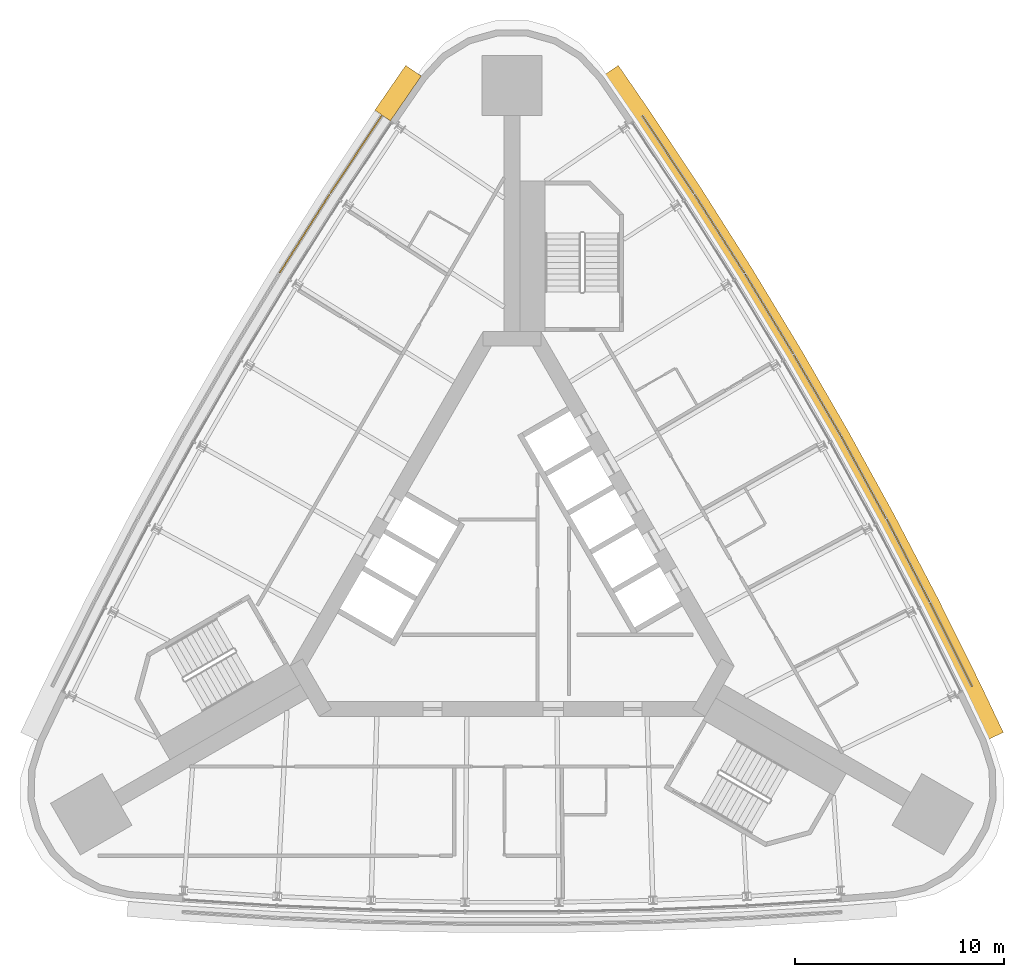
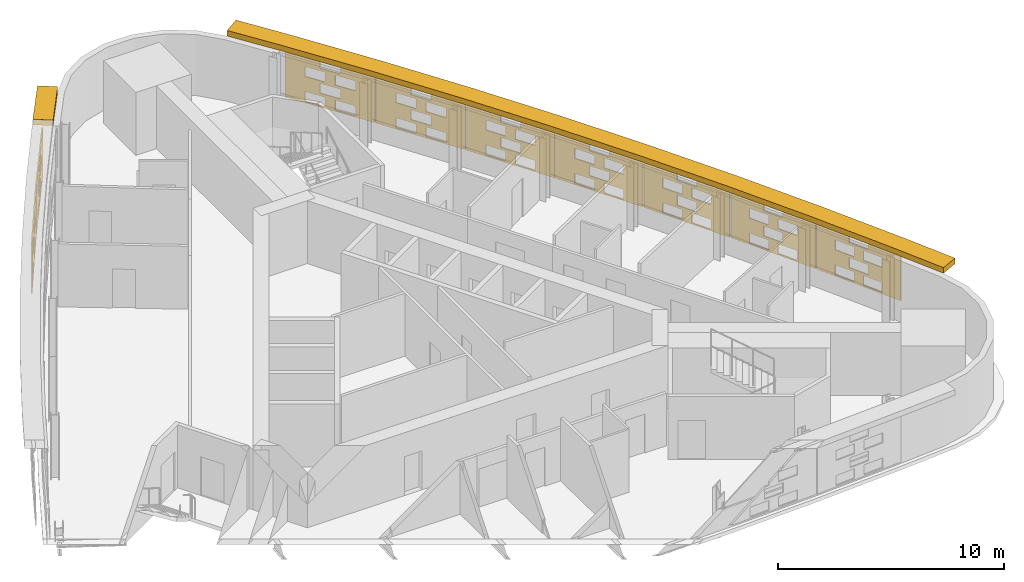
# One storey, part 12 of 12: 11 shading devices.
"""IFC4 building model written with IfcOpenShell, lengths in metres."""

from ifc_helpers import new_model, si_unit, direction, frame, origin, place, context, subcontext, project, spatial, polyline, outline, extrude, material, material_profile, profile_set, type_object, element, save


model = new_model("IFC4")

# Units and contexts
model_context = context("Model", 3, precision=1e-05, world=origin(), true_north=direction((0.0, 1.0)))
body_context = subcontext(model_context, "Body", "Model", "MODEL_VIEW")
ifc_project = project(units=[si_unit("LENGTHUNIT", "METRE"), si_unit("AREAUNIT", "SQUARE_METRE"), si_unit("VOLUMEUNIT", "CUBIC_METRE"), si_unit("PLANEANGLEUNIT", "RADIAN"), si_unit("MASSUNIT", "GRAM", prefix="KILO")], contexts=[model_context])

# Site, building, storey
site_placement = place(None, origin())
site = spatial("IfcSite", under=ifc_project, at=site_placement, CompositionType="ELEMENT")
building_placement = place(site_placement, origin())
building = spatial("IfcBuilding", under=site, at=building_placement, Name="Noor Cloister Tower", CompositionType="ELEMENT")
storey_placement = place(building_placement, frame((0.0, 0.0, 158.10009765625)))
storey = spatial("IfcBuildingStorey", under=building, at=storey_placement, Name="L40", CompositionType="ELEMENT", Elevation=158.10009765625)

# Shading devices
ifc_material_1 = material(Name="Limestone", Category="masonry")
ifc_material_profile = material_profile(ifc_material_1, outline(polyline([(-2.22998046875, -1.35009765625), (2.22998046875, -1.35009765625), (2.22998046875, 1.35009765625), (-2.22998046875, 1.35009765625), (-2.22998046875, -1.35009765625)]), holes=[polyline([(-1.25, -1.282470703125), (-0.25, -1.282470703125), (-0.25, -0.742431640625), (-1.25, -0.742431640625), (-1.25, -1.282470703125)]), polyline([(0.25, -1.282470703125), (1.25, -1.282470703125), (1.25, -0.742431640625), (0.25, -0.742431640625), (0.25, -1.282470703125)]), polyline([(-0.5, -0.607421875), (0.5, -0.607421875), (0.5, -0.0673828125), (-0.5, -0.0673828125), (-0.5, -0.607421875)]), polyline([(-1.25, 0.0673828125), (-0.25, 0.0673828125), (-0.25, 0.607421875), (-1.25, 0.607421875), (-1.25, 0.0673828125)]), polyline([(0.25, 0.0673828125), (1.25, 0.0673828125), (1.25, 0.607421875), (0.25, 0.607421875), (0.25, 0.0673828125)]), polyline([(-0.5, 0.742431640625), (0.5, 0.742431640625), (0.5, 1.282470703125), (-0.5, 1.282470703125), (-0.5, 0.742431640625)])]), Name="Woven screen 30 percent open")
ifc_profile_set = profile_set([ifc_material_profile], Name="Limestone")
shading_device_type_1 = type_object("IfcShadingDeviceType", Name="SCREEN woven limestone 30 percent open", PredefinedType="USERDEFINED", material=ifc_profile_set)
for number, where, z_axis, x_axis, name in (
    (1, (-7.429443359375, 19.8994140625, 1.849853515625), (-0.833298909309, 0.552822691054, 0.0), (-0.552822691054, -0.833298909309, 0.0), "SCREEN L40 1"),
    (2, (-9.88525390625, 16.11767578125, 1.849853515625), (-0.844329420183, 0.535824439731, 0.0), (-0.535824439731, -0.844329420183, 0.0), "SCREEN L40 2"),
    (3, (20.9482421875, -3.515625, 1.849853515625), (0.894427191, 0.4472135955, 0.0), (-0.4472135955, 0.894427191, 0.0), "SCREEN L40 1"),
    (4, (18.901123046875, 0.502197265625, 1.849853515625), (0.887816162103, 0.460198285861, 0.0), (-0.460198285861, 0.887816162103, 0.0), "SCREEN L40 2"),
    (5, (16.770263671875, 4.47607421875, 1.849853515625), (0.877584848731, 0.479421352547, 0.0), (-0.479421352547, 0.877584848731, 0.0), "SCREEN L40 3"),
):
    element("IfcShadingDevice", number, at=place(storey_placement, frame(where, z_axis=z_axis, x_axis=x_axis)), inside=storey, type_object=shading_device_type_1, Name=name, ObjectType="SCREEN", PredefinedType="USERDEFINED", context=body_context, shape_type="SweptSolid", body=[
        extrude(outline(polyline([(-2.22998046875, -1.35009765625), (2.22998046875, -1.35009765625), (2.22998046875, 1.35009765625), (-2.22998046875, 1.35009765625), (-2.22998046875, -1.35009765625)]), holes=[polyline([(-1.25, -1.282470703125), (-0.25, -1.282470703125), (-0.25, -0.742431640625), (-1.25, -0.742431640625), (-1.25, -1.282470703125)]), polyline([(0.25, -1.282470703125), (1.25, -1.282470703125), (1.25, -0.742431640625), (0.25, -0.742431640625), (0.25, -1.282470703125)]), polyline([(-0.5, -0.607421875), (0.5, -0.607421875), (0.5, -0.0673828125), (-0.5, -0.0673828125), (-0.5, -0.607421875)]), polyline([(-1.25, 0.0673828125), (-0.25, 0.0673828125), (-0.25, 0.607421875), (-1.25, 0.607421875), (-1.25, 0.0673828125)]), polyline([(0.25, 0.0673828125), (1.25, 0.0673828125), (1.25, 0.607421875), (0.25, 0.607421875), (0.25, 0.0673828125)]), polyline([(-0.5, 0.742431640625), (0.5, 0.742431640625), (0.5, 1.282470703125), (-0.5, 1.282470703125), (-0.5, 0.742431640625)])]), origin(), (0.0, 0.0, 1.0), 0.06005859375),
    ])
for number, where, z_axis, x_axis, name in (
    (6, (14.556884765625, 8.404296875, 1.849853515625), (0.86496035152, 0.501840203948, 0.0), (-0.501840203948, 0.86496035152, 0.0), "SCREEN L40 4"),
    (7, (12.261474609375, 12.28564453125, 1.849853515625), (0.855690023312, 0.517488728384, 0.0), (-0.517488728384, 0.855690023312, 0.0), "SCREEN L40 5"),
):
    element("IfcShadingDevice", number, at=place(storey_placement, frame(where, z_axis=z_axis, x_axis=x_axis)), inside=storey, type_object=shading_device_type_1, Name=name, ObjectType="SCREEN", PredefinedType="USERDEFINED", context=body_context, shape_type="SweptSolid", body=[
        extrude(outline(polyline([(-2.22998046875, -1.35009765625), (2.22998046875, -1.35009765625), (2.22998046875, 1.35009765625), (-2.22998046875, 1.35009765625), (-2.22998046875, -1.35009765625)]), holes=[polyline([(-1.25, -1.282470703125), (-0.25, -1.282470703125), (-0.25, -0.742431640625), (-1.25, -0.742431640625), (-1.25, -1.282470703125)]), polyline([(0.25, -1.282470703125), (1.25, -1.282470703125), (1.25, -0.742431640625), (0.25, -0.742431640625), (0.25, -1.282470703125)]), polyline([(-0.5, -0.607421875), (0.5, -0.607421875), (0.5, -0.0673828125), (-0.5, -0.0673828125), (-0.5, -0.607421875)]), polyline([(-1.25, 0.0673828125), (-0.25, 0.0673828125), (-0.25, 0.607421875), (-1.25, 0.607421875), (-1.25, 0.0673828125)]), polyline([(0.25, 0.0673828125), (1.25, 0.0673828125), (1.25, 0.607421875), (0.25, 0.607421875), (0.25, 0.0673828125)]), polyline([(-0.5, 0.742431640625), (0.5, 0.742431640625), (0.5, 1.282470703125), (-0.5, 1.282470703125), (-0.5, 0.742431640625)])]), origin(), (0.0, 0.0, 1.0), 0.059814453125),
    ])
for number, where, z_axis, x_axis, name in (
    (8, (9.88525390625, 16.11767578125, 1.849853515625), (0.844329420183, 0.535824439731, 0.0), (-0.535824439731, 0.844329420183, 0.0), "SCREEN L40 6"),
    (9, (7.429443359375, 19.8994140625, 1.849853515625), (0.833298909309, 0.552822691054, 0.0), (-0.552822691054, 0.833298909309, 0.0), "SCREEN L40 7"),
):
    element("IfcShadingDevice", number, at=place(storey_placement, frame(where, z_axis=z_axis, x_axis=x_axis)), inside=storey, type_object=shading_device_type_1, Name=name, ObjectType="SCREEN", PredefinedType="USERDEFINED", context=body_context, shape_type="SweptSolid", body=[
        extrude(outline(polyline([(-2.22998046875, -1.35009765625), (2.22998046875, -1.35009765625), (2.22998046875, 1.35009765625), (-2.22998046875, 1.35009765625), (-2.22998046875, -1.35009765625)]), holes=[polyline([(-1.25, -1.282470703125), (-0.25, -1.282470703125), (-0.25, -0.742431640625), (-1.25, -0.742431640625), (-1.25, -1.282470703125)]), polyline([(0.25, -1.282470703125), (1.25, -1.282470703125), (1.25, -0.742431640625), (0.25, -0.742431640625), (0.25, -1.282470703125)]), polyline([(-0.5, -0.607421875), (0.5, -0.607421875), (0.5, -0.0673828125), (-0.5, -0.0673828125), (-0.5, -0.607421875)]), polyline([(-1.25, 0.0673828125), (-0.25, 0.0673828125), (-0.25, 0.607421875), (-1.25, 0.607421875), (-1.25, 0.0673828125)]), polyline([(0.25, 0.0673828125), (1.25, 0.0673828125), (1.25, 0.607421875), (0.25, 0.607421875), (0.25, 0.0673828125)]), polyline([(-0.5, 0.742431640625), (0.5, 0.742431640625), (0.5, 1.282470703125), (-0.5, 1.282470703125), (-0.5, 0.742431640625)])]), origin(), (0.0, 0.0, 1.0), 0.06005859375),
    ])
ifc_material_2 = material(Name="Limestone", Category="masonry")
shading_device_type_2 = type_object("IfcShadingDeviceType", Name="SUNSHADE limestone band 900", PredefinedType="USERDEFINED", material=ifc_material_2)
shading_device_1_placement = place(storey_placement, frame((0.0, 0.0, 3.2998046875)))
element("IfcShadingDevice", 10, at=shading_device_1_placement, inside=storey, type_object=shading_device_type_2, Name="SUNSHADE L40 3", ObjectType="SUNSHADE", PredefinedType="USERDEFINED", context=body_context, shape_type="SweptSolid", body=[
    extrude(outline(polyline([(23.47509765625, -7.69091796875), (22.35498046875, -5.33740234375), (20.3466796875, -1.291748046875), (18.253173828125, 2.712890625), (16.076171875, 6.672607421875), (13.81689453125, 10.5859375), (11.47607421875, 14.451171875), (9.0546875, 18.2666015625), (6.55517578125, 22.028564453125), (5.076904296875, 24.175537109375), (4.335693359375, 23.665283203125), (5.8095703125, 21.5244140625), (8.2998046875, 17.7763671875), (10.7109375, 13.97705078125), (13.0419921875, 10.1279296875), (15.2919921875, 6.23095703125), (17.4599609375, 2.28759765625), (19.544677734375, -1.7001953125), (21.54541015625, -5.73095703125), (22.66259765625, -8.077880859375), (23.47509765625, -7.69091796875)])), origin(), (0.0, 0.0, 1.0), 0.300048828125),
])
shading_device_2_placement = place(storey_placement, frame((0.0, 0.0, 3.2998046875)))
element("IfcShadingDevice", 11, at=shading_device_2_placement, inside=storey, type_object=shading_device_type_2, Name="SUNSHADE L40 4", ObjectType="SUNSHADE", PredefinedType="USERDEFINED", context=body_context, shape_type="SweptSolid", body=[
    extrude(outline(polyline([(-5.076904296875, 24.175537109375), (-6.55078125, 22.03466796875), (-5.8095703125, 21.5244140625), (-4.335693359375, 23.665283203125), (-5.076904296875, 24.175537109375)])), origin(), (0.0, 0.0, 1.0), 0.300048828125),
])

save(model, "model.ifc")
